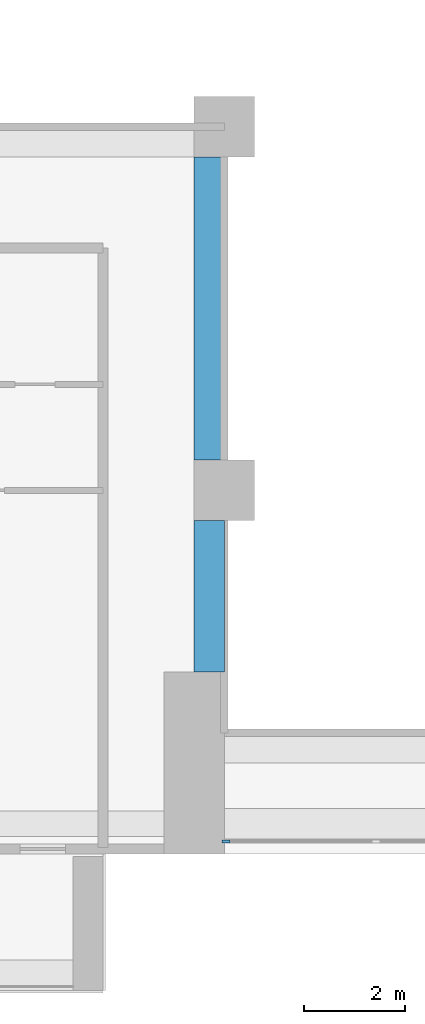
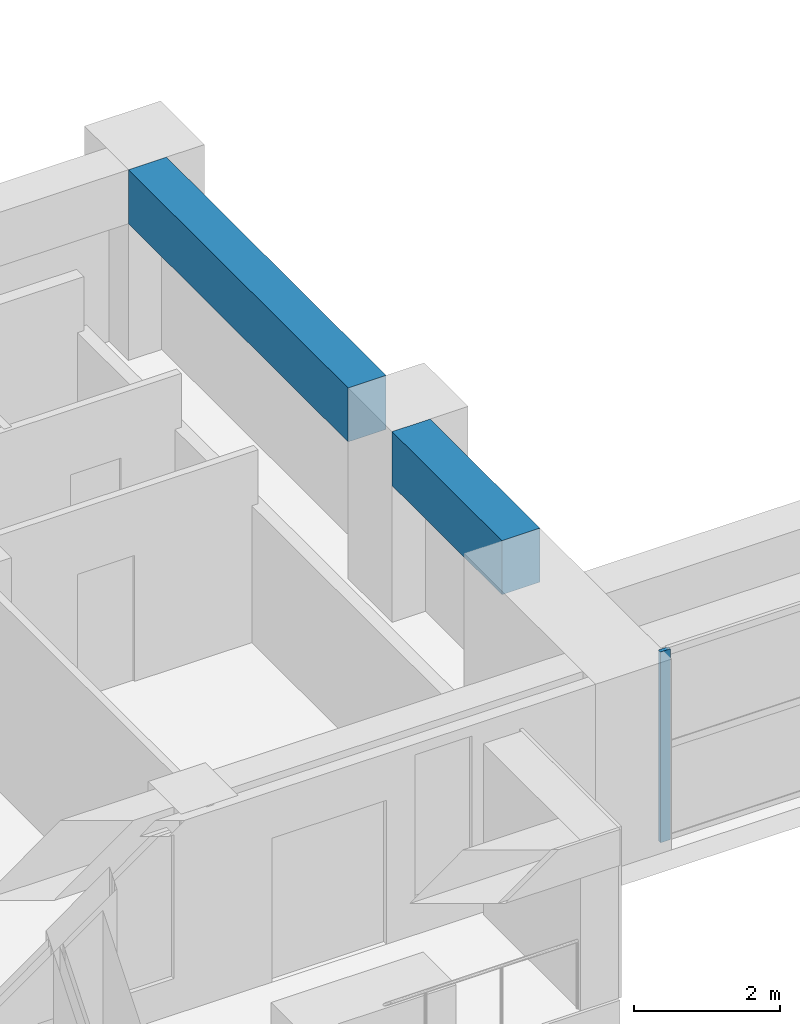
# One storey, part 2 of 17: 2 beams, 1 member, 1 element without a shape of its own.
"""IFC4 building model written with IfcOpenShell, lengths in metres."""

import ifcopenshell
import ifcopenshell.guid

model = None  # the IFC model being written
_history = None  # IfcOwnerHistory: only IFC2X3 demands one
_inside = {}  # id of a spatial element -> (the spatial element, [elements in it])
_under = {}  # id of a project, library or spatial element -> (it, [spatial elements below it])
_declared = {}  # id of a project -> (the project, [libraries it declares])
_typed = {}  # id of a type object -> (the type object, [elements of that type])
_made_of = {}  # id of a material, layer set ... -> (it, [elements and type objects made of it])


def new_model(schema):
    """Start an empty IFC model of exactly this schema.

    Asked for "IFC4X3", IfcOpenShell would pick the latest addendum, in which some entities
    have other attributes; the version numbers below select the first issue.
    IFC2X3 requires an IfcOwnerHistory on every rooted entity: one is made here for all.
    """
    global model, _history
    if schema == "IFC4X3":
        model = ifcopenshell.file(schema_version=(4, 3, 0, 0))
    else:
        model = ifcopenshell.file(schema=schema)
    _inside.clear()
    _under.clear()
    _declared.clear()
    _typed.clear()
    _made_of.clear()
    _history = None
    if model.schema == "IFC2X3":
        org = make("IfcOrganization", Name="unknown")
        user = make(
            "IfcPersonAndOrganization",
            ThePerson=make("IfcPerson", FamilyName="unknown"),
            TheOrganization=org,
        )
        app = make(
            "IfcApplication",
            ApplicationDeveloper=org,
            Version="unknown",
            ApplicationFullName="unknown",
            ApplicationIdentifier="unknown",
        )
        _history = make(
            "IfcOwnerHistory",
            OwningUser=user,
            OwningApplication=app,
            ChangeAction="ADDED",
            CreationDate=0,
        )
    return model


def make(cls, **values):
    """One entity of the class cls with the attributes given. An attribute that is None is left unset."""
    return model.create_entity(
        cls, **{name: value for name, value in values.items() if value is not None}
    )


def rooted(cls, **values):
    """An entity with a GlobalId (a new one), such as an element, a storey or a relation."""
    return make(cls, GlobalId=ifcopenshell.guid.new(), OwnerHistory=_history, **values)


def si_unit(unit_type, name, prefix=None):
    """IfcSIUnit, for example si_unit("LENGTHUNIT", "METRE", prefix="MILLI")."""
    return make("IfcSIUnit", UnitType=unit_type, Prefix=prefix, Name=name)


def assignment(units):
    """IfcUnitAssignment: the units of a project."""
    return None if units is None else make("IfcUnitAssignment", Units=units)


def point(xyz):
    """IfcCartesianPoint."""
    return None if xyz is None else make("IfcCartesianPoint", Coordinates=xyz)


def direction(xyz):
    """IfcDirection."""
    return None if xyz is None else make("IfcDirection", DirectionRatios=xyz)


def frame(location, z_axis=None, x_axis=None):
    """IfcAxis2Placement3D, a coordinate frame: its origin and axes. An axis left out is left unset."""
    return make(
        "IfcAxis2Placement3D",
        Location=point(location),
        Axis=direction(z_axis),
        RefDirection=direction(x_axis),
    )


def frame_2d(location, x_axis=None):
    """IfcAxis2Placement2D, a coordinate frame in the plane: its origin and x axis."""
    return make(
        "IfcAxis2Placement2D", Location=point(location), RefDirection=direction(x_axis)
    )


def origin():
    """The frame at (0, 0, 0) with its axes left unset."""
    return frame((0.0, 0.0, 0.0))


def origin_2d():
    """The frame at (0, 0) in the plane with its x axis left unset."""
    return frame_2d((0.0, 0.0))


def place(relative_to, where):
    """IfcLocalPlacement: puts the frame where relative to a parent placement (None: the world)."""
    return make(
        "IfcLocalPlacement", PlacementRelTo=relative_to, RelativePlacement=where
    )


def context(
    kind, dimensions, precision=None, world=None, true_north=None, identifier=None
):
    """IfcGeometricRepresentationContext, for example the 3D "Model" context."""
    return make(
        "IfcGeometricRepresentationContext",
        ContextIdentifier=identifier,
        ContextType=kind,
        CoordinateSpaceDimension=dimensions,
        Precision=precision,
        WorldCoordinateSystem=world,
        TrueNorth=true_north,
    )


def subcontext(parent, identifier, kind, view, scale=None):
    """IfcGeometricRepresentationSubContext, for example "Body" below "Model"."""
    return make(
        "IfcGeometricRepresentationSubContext",
        ContextIdentifier=identifier,
        ContextType=kind,
        ParentContext=parent,
        TargetScale=scale,
        TargetView=view,
    )


def project(units=None, contexts=None):
    """IfcProject with its units and contexts."""
    return rooted(
        "IfcProject",
        Name="project",
        RepresentationContexts=contexts,
        UnitsInContext=assignment(units),
    )


def spatial(cls, under=None, at=None, **own):
    """A site, building, storey or space (cls), placed at a placement, below another one or the project."""
    s = rooted(cls, ObjectPlacement=at, **own)
    if under is not None:
        _under.setdefault(under.id(), (under, []))[1].append(s)
    return s


def profile(cls, at=None, kind="AREA", **sizes):
    """A parametric profile (cls). Its sizes go by their IFC names, for example OverallWidth=200.0."""
    return make(cls, ProfileType=kind, Position=at, **sizes)


def rectangle(**sizes):
    """IfcRectangleProfileDef."""
    return profile("IfcRectangleProfileDef", **sizes)


def extrude(swept, where, along, depth):
    """IfcExtrudedAreaSolid: the profile swept, set in the frame where, extruded along a direction by depth."""
    return make(
        "IfcExtrudedAreaSolid",
        SweptArea=swept,
        Position=where,
        ExtrudedDirection=direction(along),
        Depth=depth,
    )


def shape(context_of_items, identifier, shape_type, items):
    """IfcShapeRepresentation: the items that make up one representation, for example the "Body"."""
    return make(
        "IfcShapeRepresentation",
        ContextOfItems=context_of_items,
        RepresentationIdentifier=identifier,
        RepresentationType=shape_type,
        Items=items,
    )


def source(mapping_origin, context_of_items, identifier, shape_type, items):
    """IfcRepresentationMap: a shape defined once, which mapped items show again and again."""
    return make(
        "IfcRepresentationMap",
        MappingOrigin=mapping_origin,
        MappedRepresentation=shape(context_of_items, identifier, shape_type, items),
    )


def transform(
    local_origin,
    x_axis=None,
    y_axis=None,
    z_axis=None,
    scale=None,
    scale2=None,
    scale3=None,
    uniform=True,
):
    """IfcCartesianTransformationOperator3D, or its non-uniform kind. x_axis, y_axis, z_axis: its Axis1, 2, 3."""
    if uniform:
        return make(
            "IfcCartesianTransformationOperator3D",
            Axis1=direction(x_axis),
            Axis2=direction(y_axis),
            LocalOrigin=point(local_origin),
            Scale=scale,
            Axis3=direction(z_axis),
        )
    return make(
        "IfcCartesianTransformationOperator3DnonUniform",
        Axis1=direction(x_axis),
        Axis2=direction(y_axis),
        LocalOrigin=point(local_origin),
        Scale=scale,
        Axis3=direction(z_axis),
        Scale2=scale2,
        Scale3=scale3,
    )


def mapped(mapping_source, mapping_target):
    """IfcMappedItem: shows the shape of a source again, moved by a transform."""
    return make(
        "IfcMappedItem", MappingSource=mapping_source, MappingTarget=mapping_target
    )


def material(Name=None, Category=None):
    """IfcMaterial."""
    return make("IfcMaterial", Name=Name, Category=Category)


def layer(
    of_material, thickness, ventilated=None, Name=None, Category=None, Priority=None
):
    """IfcMaterialLayer: one layer of a wall or slab, of a material (None: an air gap)."""
    return make(
        "IfcMaterialLayer",
        Material=of_material,
        LayerThickness=thickness,
        IsVentilated=ventilated,
        Name=Name,
        Category=Category,
        Priority=Priority,
    )


def layer_set(layers, Name=None):
    """IfcMaterialLayerSet."""
    return make("IfcMaterialLayerSet", MaterialLayers=layers, LayerSetName=Name)


def material_profile(
    of_material, cross_section, Name=None, Category=None, Priority=None
):
    """IfcMaterialProfile: a cross section and its material."""
    return make(
        "IfcMaterialProfile",
        Name=Name,
        Material=of_material,
        Profile=cross_section,
        Priority=Priority,
        Category=Category,
    )


def profile_set(profiles, Name=None, composite=None):
    """IfcMaterialProfileSet."""
    return make(
        "IfcMaterialProfileSet",
        Name=Name,
        MaterialProfiles=profiles,
        CompositeProfile=composite,
    )


def made_of(thing, what):
    """Note that an element or type object is made of a material, layer set ...; save() writes the relation."""
    if what is not None:
        _made_of.setdefault(what.id(), (what, []))[1].append(thing)
    return thing


def type_object(cls, material=None, **own):
    """A type object (cls), such as IfcWallType, which elements share."""
    return made_of(rooted(cls, **own), material)


def element(
    cls,
    number,
    at=None,
    inside=None,
    cuts=None,
    type_object=None,
    material=None,
    context=None,
    identifier="Body",
    shape_type=None,
    held_by="IfcProductDefinitionShape",
    body=None,
    shapes=None,
    **own,
):
    """One element of the class cls, such as IfcWall. Its Tag is "e" and its number.

    at: its placement. inside: the storey or other place that contains it. cuts: it is an
    opening in that element (IfcRelVoidsElement). A single representation is given by context,
    identifier, shape_type and body (its items); several are given by shapes. held_by: the class
    of the entity that holds the representations. save() writes the other relations.
    """
    e = rooted(cls, Tag="e%d" % number, ObjectPlacement=at, **own)
    if body is not None:
        shapes = [shape(context, identifier, shape_type, body)]
    if shapes is not None:
        e.Representation = make(held_by, Representations=shapes)
    if inside is not None:
        _inside.setdefault(inside.id(), (inside, []))[1].append(e)
    if cuts is not None:
        rooted(
            "IfcRelVoidsElement", RelatingBuildingElement=cuts, RelatedOpeningElement=e
        )
    if type_object is not None:
        _typed.setdefault(type_object.id(), (type_object, []))[1].append(e)
    return made_of(e, material)


def aggregate(whole, parts):
    """IfcRelAggregates: a whole, such as a stair, and the parts it consists of."""
    return rooted("IfcRelAggregates", RelatingObject=whole, RelatedObjects=parts)


def save(model, path):
    """Write the relations noted so far, then the file.

    IfcRelAggregates (storeys below a building ...), IfcRelContainedInSpatialStructure (elements
    in a storey), IfcRelDefinesByType, IfcRelAssociatesMaterial and IfcRelDeclares: one each for
    every whole, place, type object, material and project.
    """
    for whole, parts in _under.values():
        aggregate(whole, parts)
    for where, things in _inside.values():
        rooted(
            "IfcRelContainedInSpatialStructure",
            RelatedElements=things,
            RelatingStructure=where,
        )
    for kind, things in _typed.values():
        rooted("IfcRelDefinesByType", RelatedObjects=things, RelatingType=kind)
    for what, things in _made_of.values():
        rooted("IfcRelAssociatesMaterial", RelatedObjects=things, RelatingMaterial=what)
    for by, libraries in _declared.values():
        rooted("IfcRelDeclares", RelatingContext=by, RelatedDefinitions=libraries)
    model.write(path)


model = new_model("IFC4")

# Units and contexts
model_context = context("Model", 3, precision=1e-05, world=origin(), true_north=direction((0.0, 1.0)))
body_context = subcontext(model_context, "Body", "Model", "MODEL_VIEW")
ifc_project = project(units=[si_unit("LENGTHUNIT", "METRE"), si_unit("AREAUNIT", "SQUARE_METRE"), si_unit("VOLUMEUNIT", "CUBIC_METRE"), si_unit("PLANEANGLEUNIT", "RADIAN"), si_unit("MASSUNIT", "GRAM", prefix="KILO")], contexts=[model_context])

# Site, building, storey
site_placement = place(None, origin())
site = spatial("IfcSite", under=ifc_project, at=site_placement, CompositionType="ELEMENT")
building_placement = place(site_placement, origin())
building = spatial("IfcBuilding", under=site, at=building_placement, Name="Saffron Iwan Residences", CompositionType="ELEMENT")
storey_placement = place(building_placement, frame((0.0, 0.0, 97.0)))
storey = spatial("IfcBuildingStorey", under=building, at=storey_placement, Name="L25", CompositionType="ELEMENT", Elevation=97.0)

# Beams
ifc_material_1 = material(Name="Concrete C60/75", Category="concrete")
ifc_material_profile_1 = material_profile(ifc_material_1, rectangle(XDim=0.60009765625, YDim=0.89990234375, at=origin_2d()), Name="RC 600x900")
ifc_profile_set_1 = profile_set([ifc_material_profile_1], Name="Concrete C60/75")
beam_type = type_object("IfcBeamType", Name="BEAM RC 600x900 C60/75 TOP 3180", PredefinedType="BEAM", material=ifc_profile_set_1)
shared_shape_1 = source(origin(), body_context, "Body", "SweptSolid", [
    extrude(rectangle(XDim=0.60009765625, YDim=0.89990234375, at=origin_2d()), origin(), (0.0, 0.0, 1.0), 3.0),
])
beam_1_placement = place(storey_placement, frame((42.89990234375, 37.199951171875, 2.72998046875), z_axis=(0.0, 1.0, 0.0), x_axis=(-1.0, 0.0, 0.0)))
element("IfcBeam", 1, at=beam_1_placement, inside=storey, type_object=beam_type, Name="Atrium edge beam", PredefinedType="BEAM", context=body_context, shape_type="MappedRepresentation", body=[
    mapped(shared_shape_1, transform((0.0, 0.0, 0.0))),
])
shared_shape_2 = source(origin(), body_context, "Body", "SweptSolid", [
    extrude(rectangle(XDim=0.60009765625, YDim=0.89990234375, at=origin_2d()), origin(), (0.0, 0.0, 1.0), 6.0),
])
beam_2_placement = place(storey_placement, frame((42.89990234375, 41.39990234375, 2.72998046875), z_axis=(0.0, 1.0, 0.0), x_axis=(-1.0, 0.0, 0.0)))
element("IfcBeam", 2, at=beam_2_placement, inside=storey, type_object=beam_type, Name="Atrium edge beam", PredefinedType="BEAM", context=body_context, shape_type="MappedRepresentation", body=[
    mapped(shared_shape_2, transform((0.0, 0.0, 0.0))),
])

# Curtain wall, member
ifc_material_2 = material(Name="Clear glass, laminated double glazed", Category="glass")
ifc_layer = layer(ifc_material_2, 0.199951171875)
ifc_layer_set = layer_set([ifc_layer], Name="Clear glass, laminated double glazed")
curtain_wall_type = type_object("IfcCurtainWallType", Name="CW-B IWAN PORTAL", PredefinedType="NOTDEFINED", material=ifc_layer_set)
curtain_wall_placement = place(storey_placement, origin())
curtain_wall = element("IfcCurtainWall", 3, at=curtain_wall_placement, inside=storey, type_object=curtain_wall_type, Name="Iwan portal glazing L25.1", PredefinedType="NOTDEFINED")
ifc_material_3 = material(Name="Aluminium 6063-T6", Category="aluminium")
ifc_material_profile_2 = material_profile(ifc_material_3, rectangle(XDim=0.06005859375, YDim=0.159912109375, at=origin_2d()), Name="CW-B MULLION 60 x 160")
ifc_profile_set_2 = profile_set([ifc_material_profile_2], Name="Aluminium 6063-T6")
member_type = type_object("IfcMemberType", Name="CW-B MULLION 60 x 160", PredefinedType="MULLION", material=ifc_profile_set_2)
shared_shape_3 = source(origin(), body_context, "Body", "SweptSolid", [
    extrude(rectangle(XDim=0.06005859375, YDim=0.159912109375, at=origin_2d()), origin(), (0.0, 0.0, 1.0), 3.179931640625),
])
member_placement = place(storey_placement, frame((43.22998046875, 33.85009765625, 0.0), z_axis=(0.0, 0.0, 1.0), x_axis=(0.0, 1.0, 0.0)))
member = element("IfcMember", 4, at=member_placement, type_object=member_type, Name="CW-B mullion 1", PredefinedType="MULLION", context=body_context, shape_type="MappedRepresentation", body=[
    mapped(shared_shape_3, transform((0.0, 0.0, 0.0))),
])
aggregate(curtain_wall, [member])

save(model, "model.ifc")
